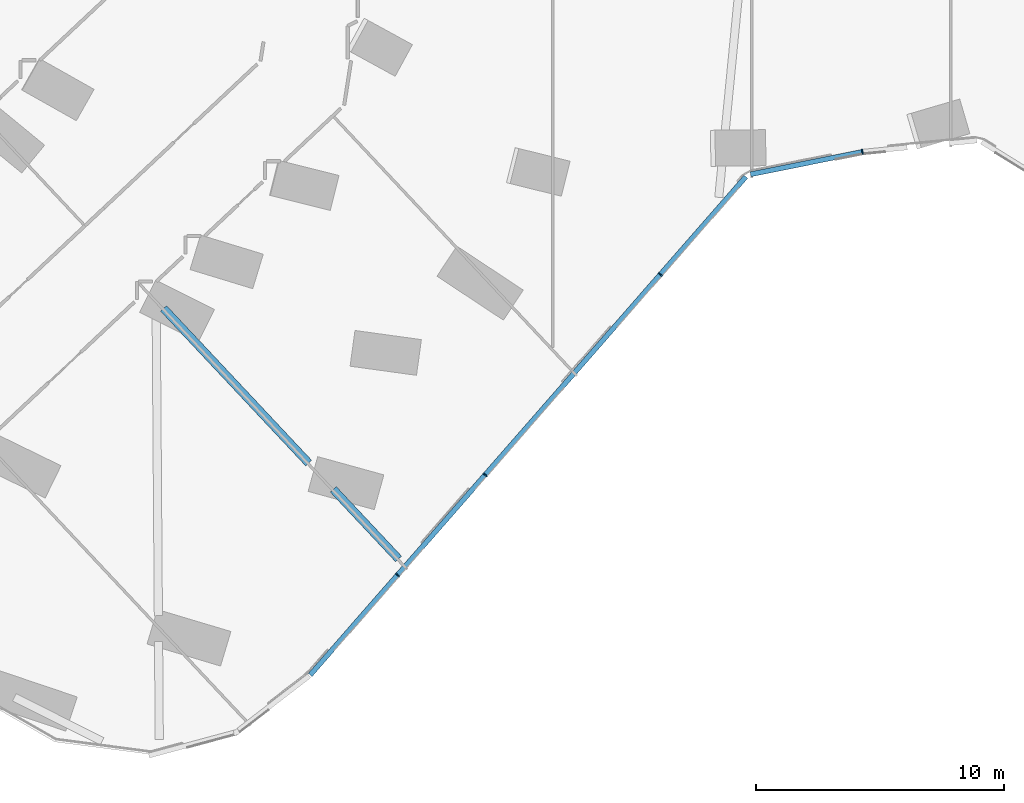
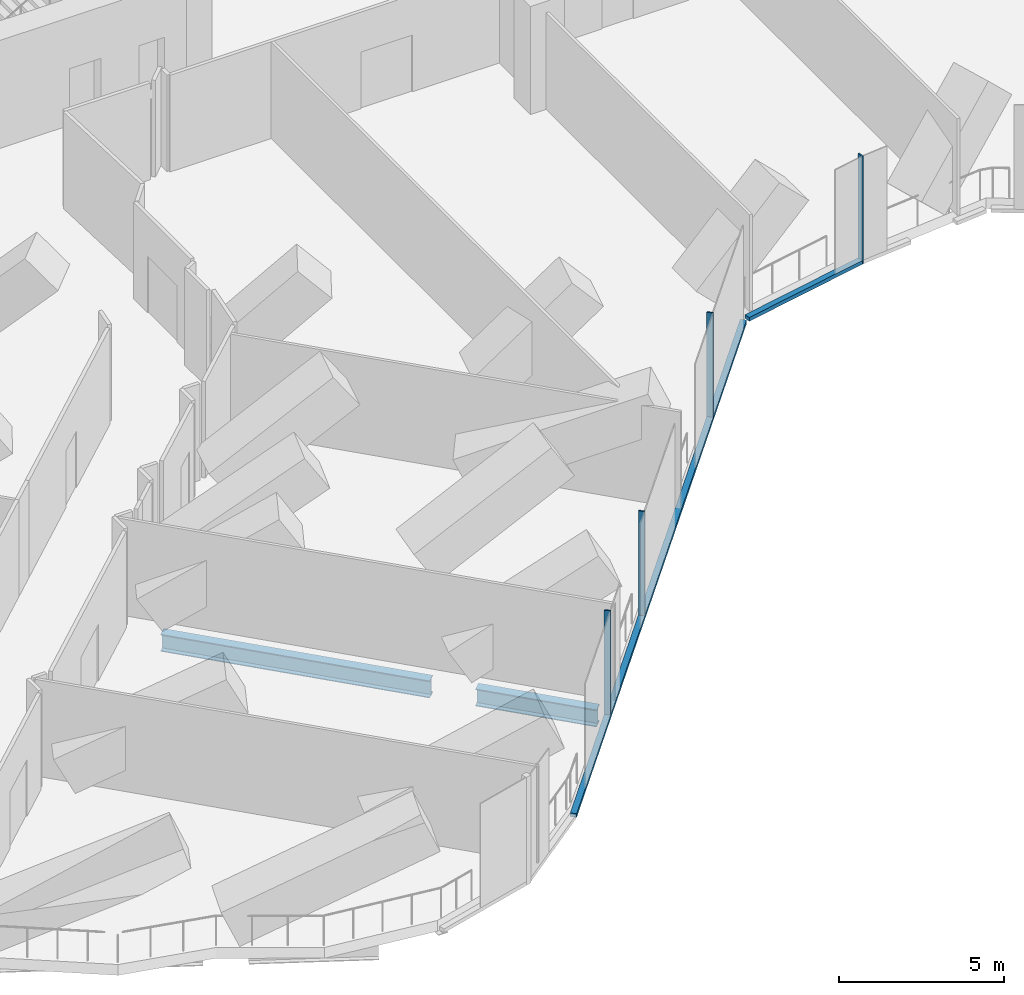
# One storey, part 4 of 31: 6 members, 2 beams, 2 elements without a shape of their own.
"""IFC4 building model written with IfcOpenShell, lengths in metres."""

from ifc_helpers import new_model, si_unit, direction, frame, origin, origin_2d, place, context, subcontext, project, spatial, rectangle, i_section, extrude, material, material_profile, profile_set, type_object, element, aggregate, save


model = new_model("IFC4")

# Units and contexts
model_context = context("Model", 3, precision=1e-05, world=origin(), true_north=direction((0.0, 1.0)))
body_context = subcontext(model_context, "Body", "Model", "MODEL_VIEW")
ifc_project = project(units=[si_unit("LENGTHUNIT", "METRE"), si_unit("AREAUNIT", "SQUARE_METRE"), si_unit("VOLUMEUNIT", "CUBIC_METRE"), si_unit("PLANEANGLEUNIT", "RADIAN"), si_unit("MASSUNIT", "GRAM", prefix="KILO")], contexts=[model_context])

# Site, building, storey
site_placement = place(None, origin())
site = spatial("IfcSite", under=ifc_project, at=site_placement, CompositionType="ELEMENT")
building_placement = place(site_placement, origin())
building = spatial("IfcBuilding", under=site, at=building_placement, Name="Orlundy Tower", CompositionType="ELEMENT")
storey_placement = place(building_placement, frame((0.0, 0.0, 54.800048828125)))
storey = spatial("IfcBuildingStorey", under=building, at=storey_placement, Name="L12", CompositionType="ELEMENT", Elevation=54.800048828125)

# Beams
ifc_material_1 = material(Name="Steel ASTM A992 Gr 50", Category="steel")
ifc_material_profile_1 = material_profile(ifc_material_1, i_section(OverallWidth=0.3291015625, OverallDepth=0.635009765625, WebThickness=0.017822265625, FlangeThickness=0.031005859375, at=origin_2d()), Name="W24X162")
ifc_profile_set_1 = profile_set([ifc_material_profile_1], Name="Steel ASTM A992 Gr 50")
beam_type = type_object("IfcBeamType", Name="CANTILEVER GIRDER beam W24X162", PredefinedType="BEAM", material=ifc_profile_set_1)
beam_1_placement = place(storey_placement, frame((-14.2158203125, -46.1875, -0.717529296875), z_axis=(-0.684165376831, 0.729326906912, 0.0), x_axis=(-0.729326906912, -0.684165376831, 0.0)))
element("IfcBeam", 1, at=beam_1_placement, inside=storey, type_object=beam_type, Name="Cantilever girder C-B5-2 L12", PredefinedType="BEAM", context=body_context, shape_type="SweptSolid", body=[
    extrude(i_section(OverallWidth=0.3291015625, OverallDepth=0.635009765625, WebThickness=0.017822265625, FlangeThickness=0.031005859375, at=origin_2d()), origin(), (0.0, 0.0, 1.0), 3.838134765625),
])
beam_2_placement = place(storey_placement, frame((-17.832275390625, -42.331787109375, -0.717529296875), z_axis=(-0.684136138349, 0.729354333781, 0.0), x_axis=(-0.729354333781, -0.684136138349, 0.0)))
element("IfcBeam", 2, at=beam_2_placement, inside=storey, type_object=beam_type, Name="Back-span girder C-B5-2 L12", PredefinedType="BEAM", context=body_context, shape_type="SweptSolid", body=[
    extrude(i_section(OverallWidth=0.3291015625, OverallDepth=0.635009765625, WebThickness=0.017822265625, FlangeThickness=0.031005859375, at=origin_2d()), origin(), (0.0, 0.0, 1.0), 8.5361328125),
])

# Curtain wall, members
ifc_material_2 = material(Name="Aluminium bronze anodised", Category="aluminium")
curtain_wall_type = type_object("IfcCurtainWallType", Name="CW5 wall", PredefinedType="NOTDEFINED", material=ifc_material_2)
curtain_wall_1_placement = place(storey_placement, origin())
curtain_wall_1 = element("IfcCurtainWall", 3, at=curtain_wall_1_placement, inside=storey, type_object=curtain_wall_type, Name="CW5 run 00", PredefinedType="NOTDEFINED")
ifc_material_3 = material(Name="Aluminium bronze anodised", Category="aluminium")
ifc_material_profile_2 = material_profile(ifc_material_3, rectangle(XDim=0.199951171875, YDim=0.050048828125, at=origin_2d()), Name="CW5 mullion 50x200")
ifc_profile_set_2 = profile_set([ifc_material_profile_2], Name="Aluminium bronze anodised")
member_type_1 = type_object("IfcMemberType", Name="CW5 mullion 50x200", PredefinedType="MULLION", material=ifc_profile_set_2)
member_1_placement = place(storey_placement, frame((-3.677001953125, -34.740478515625, -0.400146484375), z_axis=(0.0, 0.0, 1.0), x_axis=(0.752791745563, -0.658258754452, 0.0)))
member_1 = element("IfcMember", 4, at=member_1_placement, type_object=member_type_1, Name="CW5 mullion 2", PredefinedType="MULLION", context=body_context, shape_type="SweptSolid", body=[
    extrude(rectangle(XDim=0.199951171875, YDim=0.050048828125, at=origin_2d()), origin(), (0.0, 0.0, 1.0), 4.0),
])
member_2_placement = place(storey_placement, frame((-10.729248046875, -42.8056640625, -0.400146484375), z_axis=(0.0, 0.0, 1.0), x_axis=(0.752791745563, -0.658258754452, 0.0)))
member_2 = element("IfcMember", 5, at=member_2_placement, type_object=member_type_1, Name="CW5 mullion 4", PredefinedType="MULLION", context=body_context, shape_type="SweptSolid", body=[
    extrude(rectangle(XDim=0.199951171875, YDim=0.050048828125, at=origin_2d()), origin(), (0.0, 0.0, 1.0), 4.0),
])
member_3_placement = place(storey_placement, frame((-14.255615234375, -46.838134765625, -0.400146484375), z_axis=(0.0, 0.0, 1.0), x_axis=(0.752791745563, -0.658258754452, 0.0)))
member_3 = element("IfcMember", 6, at=member_3_placement, type_object=member_type_1, Name="CW5 mullion 5", PredefinedType="MULLION", context=body_context, shape_type="SweptSolid", body=[
    extrude(rectangle(XDim=0.199951171875, YDim=0.050048828125, at=origin_2d()), origin(), (0.0, 0.0, 1.0), 4.0),
])

# Curtain wall, member
curtain_wall_2_placement = place(storey_placement, origin())
curtain_wall_2 = element("IfcCurtainWall", 7, at=curtain_wall_2_placement, inside=storey, type_object=curtain_wall_type, Name="CW5 run 043", PredefinedType="NOTDEFINED")
member_4_placement = place(storey_placement, frame((4.453857421875, -29.805908203125, -0.400146484375), z_axis=(0.0, 0.0, 1.0), x_axis=(0.14781820105, -0.98901454966, 0.0)))
member_4 = element("IfcMember", 8, at=member_4_placement, type_object=member_type_1, Name="CW5 mullion 76", PredefinedType="MULLION", context=body_context, shape_type="SweptSolid", body=[
    extrude(rectangle(XDim=0.199951171875, YDim=0.050048828125, at=origin_2d()), origin(), (0.0, 0.0, 1.0), 4.0),
])

# Member
ifc_material_4 = material(Name="Aluminium bronze anodised", Category="aluminium")
ifc_material_profile_3 = material_profile(ifc_material_4, rectangle(XDim=0.199951171875, YDim=0.139892578125, at=origin_2d()), Name="CW5 transom 200x140")
ifc_profile_set_3 = profile_set([ifc_material_profile_3], Name="Aluminium bronze anodised")
member_type_2 = type_object("IfcMemberType", Name="CW5 transom 200x140", PredefinedType="USERDEFINED", material=ifc_profile_set_3)
member_5_placement = place(storey_placement, frame((-0.23876953125, -30.80859375, -0.330078125), z_axis=(-0.658260577617, -0.752790151341, 0.0), x_axis=(0.752790151341, -0.658260577617, 0.0)))
member_5 = element("IfcMember", 9, at=member_5_placement, type_object=member_type_2, Name="CW5 transom", ObjectType="TRANSOM", PredefinedType="USERDEFINED", context=body_context, shape_type="SweptSolid", body=[
    extrude(rectangle(XDim=0.199951171875, YDim=0.139892578125, at=origin_2d()), origin(), (0.0, 0.0, 1.0), 26.63525390625),
])

aggregate(curtain_wall_1, [member_1, member_2, member_3, member_5])

member_6_placement = place(storey_placement, frame((4.42919921875, -29.81103515625, -0.330078125), z_axis=(-0.980508660095, -0.196475869965, 0.0), x_axis=(0.196475869965, -0.980508660095, 0.0)))
member_6 = element("IfcMember", 10, at=member_6_placement, type_object=member_type_2, Name="CW5 transom", ObjectType="TRANSOM", PredefinedType="USERDEFINED", context=body_context, shape_type="SweptSolid", body=[
    extrude(rectangle(XDim=0.199951171875, YDim=0.139892578125, at=origin_2d()), origin(), (0.0, 0.0, 1.0), 4.56787109375),
])

aggregate(curtain_wall_2, [member_4, member_6])

save(model, "model.ifc")
